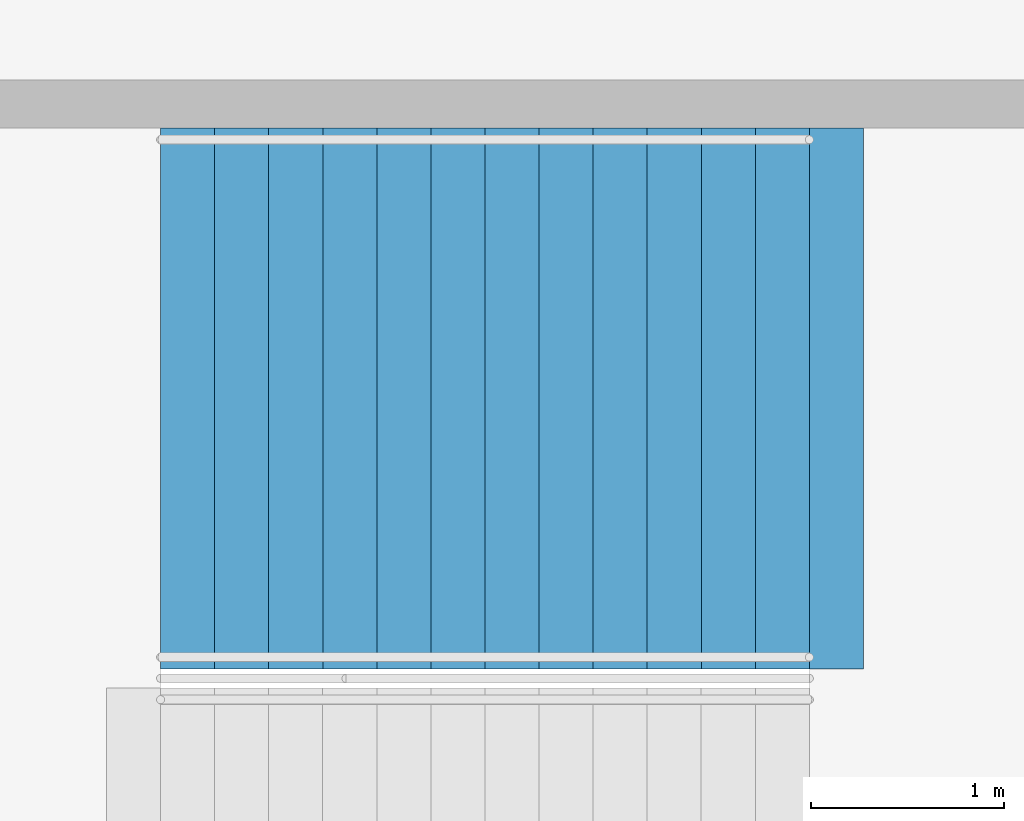
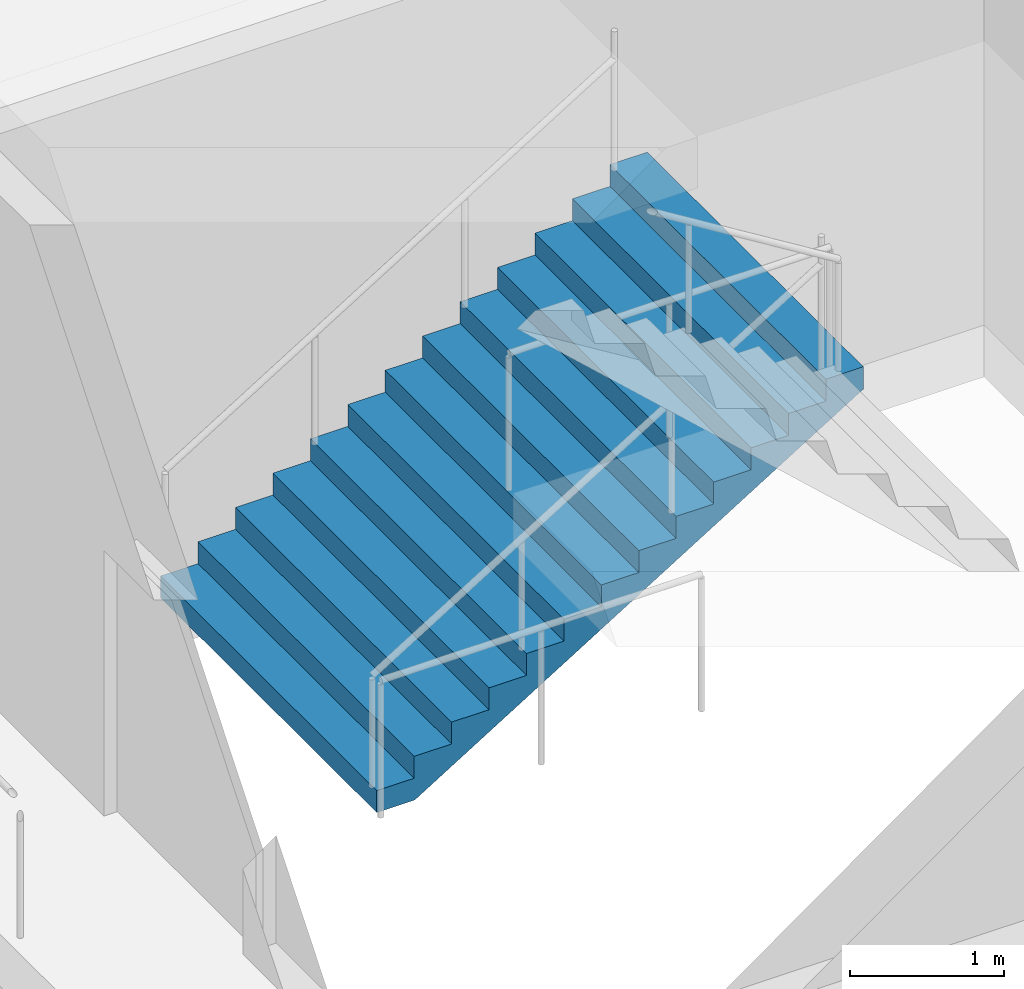
# One storey, part 122 of 177: 1 stair flight, 1 element without a shape of its own.
"""IFC4 building model written with IfcOpenShell, lengths in metres."""

from ifc_helpers import new_model, si_unit, direction, frame, origin, place, context, subcontext, project, spatial, faceted_brep, material, type_object, element, aggregate, save


model = new_model("IFC4")

# Units and contexts
model_context = context("Model", 3, precision=1e-05, world=origin(), true_north=direction((0.0, 1.0)))
body_context = subcontext(model_context, "Body", "Model", "MODEL_VIEW")
ifc_project = project(units=[si_unit("LENGTHUNIT", "METRE"), si_unit("AREAUNIT", "SQUARE_METRE"), si_unit("VOLUMEUNIT", "CUBIC_METRE"), si_unit("PLANEANGLEUNIT", "RADIAN"), si_unit("MASSUNIT", "GRAM", prefix="KILO")], contexts=[model_context])

# Site, building, storey
site_placement = place(None, origin())
site = spatial("IfcSite", under=ifc_project, at=site_placement, CompositionType="ELEMENT")
building_placement = place(site_placement, origin())
building = spatial("IfcBuilding", under=site, at=building_placement, Name="Ogive Plaza Stadium", CompositionType="ELEMENT")
storey_placement = place(building_placement, frame((0.0, 0.0, 18.0)))
storey = spatial("IfcBuildingStorey", under=building, at=storey_placement, Name="L04", CompositionType="ELEMENT", Elevation=18.0)

# Stair, stair flight
ifc_material_1 = material(Name="Concrete C40/50", Category="concrete")
stair_type = type_object("IfcStairType", Name="Exit stair", PredefinedType="STRAIGHT_RUN_STAIR", material=ifc_material_1)
stair_placement = place(storey_placement, origin())
stair = element("IfcStair", 1, at=stair_placement, inside=storey, type_object=stair_type, Name="Exit stair ST08B L04 to L05", PredefinedType="STRAIGHT_RUN_STAIR")
ifc_material_2 = material(Name="Concrete C40/50", Category="concrete")
stair_flight_type = type_object("IfcStairFlightType", Name="Exit stair flight", PredefinedType="STRAIGHT", material=ifc_material_2)
stair_flight_placement = place(storey_placement, frame((76.35009765625, -48.074951171875, 0.0), z_axis=(0.0, 0.0, 1.0), x_axis=(1.0, 0.0, 0.0)))
stair_flight = element("IfcStairFlight", 2, at=stair_flight_placement, type_object=stair_flight_type, Name="ST08B flight 1", NumberOfRisers=13, NumberOfTreads=12, PredefinedType="STRAIGHT", RiserHeight=0.173076923, TreadLength=0.28, context=body_context, shape_type="Brep", body=[
    faceted_brep([(0.28515625, -1.39990234375, 0.0), (3.639892578125, -1.39990234375, 2.07373046875), (3.639892578125, -1.39990234375, 2.25), (3.360107421875, -1.39990234375, 2.25), (3.360107421875, -1.39990234375, 2.076904296875), (3.080078125, -1.39990234375, 2.076904296875), (3.080078125, -1.39990234375, 1.90380859375), (2.800048828125, -1.39990234375, 1.90380859375), (2.800048828125, -1.39990234375, 1.730712890625), (2.52001953125, -1.39990234375, 1.730712890625), (2.52001953125, -1.39990234375, 1.5576171875), (2.239990234375, -1.39990234375, 1.5576171875), (2.239990234375, -1.39990234375, 1.384521484375), (1.9599609375, -1.39990234375, 1.384521484375), (1.9599609375, -1.39990234375, 1.21142578125), (1.679931640625, -1.39990234375, 1.21142578125), (1.679931640625, -1.39990234375, 1.03857421875), (1.39990234375, -1.39990234375, 1.03857421875), (1.39990234375, -1.39990234375, 0.865478515625), (1.1201171875, -1.39990234375, 0.865478515625), (1.1201171875, -1.39990234375, 0.6923828125), (0.840087890625, -1.39990234375, 0.6923828125), (0.840087890625, -1.39990234375, 0.519287109375), (0.56005859375, -1.39990234375, 0.519287109375), (0.56005859375, -1.39990234375, 0.34619140625), (0.280029296875, -1.39990234375, 0.34619140625), (0.280029296875, -1.39990234375, 0.173095703125), (0.0, -1.39990234375, 0.173095703125), (0.0, -1.39990234375, 0.0), (0.0, 1.39990234375, 0.0), (0.0, 1.39990234375, 0.173095703125), (0.280029296875, 1.39990234375, 0.173095703125), (0.280029296875, 1.39990234375, 0.34619140625), (0.56005859375, 1.39990234375, 0.34619140625), (0.56005859375, 1.39990234375, 0.519287109375), (0.840087890625, 1.39990234375, 0.519287109375), (0.840087890625, 1.39990234375, 0.6923828125), (1.1201171875, 1.39990234375, 0.6923828125), (1.1201171875, 1.39990234375, 0.865478515625), (1.39990234375, 1.39990234375, 0.865478515625), (1.39990234375, 1.39990234375, 1.03857421875), (1.679931640625, 1.39990234375, 1.03857421875), (1.679931640625, 1.39990234375, 1.21142578125), (1.9599609375, 1.39990234375, 1.21142578125), (1.9599609375, 1.39990234375, 1.384521484375), (2.239990234375, 1.39990234375, 1.384521484375), (2.239990234375, 1.39990234375, 1.5576171875), (2.52001953125, 1.39990234375, 1.5576171875), (2.52001953125, 1.39990234375, 1.730712890625), (2.800048828125, 1.39990234375, 1.730712890625), (2.800048828125, 1.39990234375, 1.90380859375), (3.080078125, 1.39990234375, 1.90380859375), (3.080078125, 1.39990234375, 2.076904296875), (3.360107421875, 1.39990234375, 2.076904296875), (3.360107421875, 1.39990234375, 2.25), (3.639892578125, 1.39990234375, 2.25), (3.639892578125, 1.39990234375, 2.07373046875), (0.28515625, 1.39990234375, 0.0), (0.28515625, -1.0888671875, 0.0), (3.639892578125, -1.0888671875, 2.07373046875), (0.28515625, -0.77783203125, 0.0), (3.639892578125, -0.77783203125, 2.07373046875), (0.28515625, -0.466796875, 0.0), (3.639892578125, -0.466796875, 2.07373046875), (0.28515625, -0.155517578125, 0.0), (3.639892578125, -0.155517578125, 2.07373046875), (0.28515625, 0.155517578125, 0.0), (3.639892578125, 0.155517578125, 2.07373046875), (0.28515625, 0.466796875, 0.0), (3.639892578125, 0.466796875, 2.07373046875), (0.28515625, 0.77783203125, 0.0), (3.639892578125, 0.77783203125, 2.07373046875), (0.28515625, 1.0888671875, 0.0), (3.639892578125, 1.0888671875, 2.07373046875), (3.639892578125, -1.0888671875, 2.25), (3.639892578125, -0.77783203125, 2.25), (3.639892578125, -0.466796875, 2.25), (3.639892578125, -0.155517578125, 2.25), (3.639892578125, 0.155517578125, 2.25), (3.639892578125, 0.466796875, 2.25), (3.639892578125, 0.77783203125, 2.25), (3.639892578125, 1.0888671875, 2.25), (3.360107421875, -1.0888671875, 2.25), (3.360107421875, -0.77783203125, 2.25), (3.360107421875, -0.466796875, 2.25), (3.360107421875, -0.155517578125, 2.25), (3.360107421875, 0.155517578125, 2.25), (3.360107421875, 0.466796875, 2.25), (3.360107421875, 0.77783203125, 2.25), (3.360107421875, 1.0888671875, 2.25), (3.360107421875, -1.0888671875, 2.076904296875), (3.360107421875, -0.77783203125, 2.076904296875), (3.360107421875, -0.466796875, 2.076904296875), (3.360107421875, -0.155517578125, 2.076904296875), (3.360107421875, 0.155517578125, 2.076904296875), (3.360107421875, 0.466796875, 2.076904296875), (3.360107421875, 0.77783203125, 2.076904296875), (3.360107421875, 1.0888671875, 2.076904296875), (3.080078125, -1.0888671875, 2.076904296875), (3.080078125, -0.77783203125, 2.076904296875), (3.080078125, -0.466796875, 2.076904296875), (3.080078125, -0.155517578125, 2.076904296875), (3.080078125, 0.155517578125, 2.076904296875), (3.080078125, 0.466796875, 2.076904296875), (3.080078125, 0.77783203125, 2.076904296875), (3.080078125, 1.0888671875, 2.076904296875), (3.080078125, -1.0888671875, 1.90380859375), (3.080078125, -0.77783203125, 1.90380859375), (3.080078125, -0.466796875, 1.90380859375), (3.080078125, -0.155517578125, 1.90380859375), (3.080078125, 0.155517578125, 1.90380859375), (3.080078125, 0.466796875, 1.90380859375), (3.080078125, 0.77783203125, 1.90380859375), (3.080078125, 1.0888671875, 1.90380859375), (2.800048828125, -1.0888671875, 1.90380859375), (2.800048828125, -0.77783203125, 1.90380859375), (2.800048828125, -0.466796875, 1.90380859375), (2.800048828125, -0.155517578125, 1.90380859375), (2.800048828125, 0.155517578125, 1.90380859375), (2.800048828125, 0.466796875, 1.90380859375), (2.800048828125, 0.77783203125, 1.90380859375), (2.800048828125, 1.0888671875, 1.90380859375), (2.800048828125, -1.0888671875, 1.730712890625), (2.800048828125, -0.77783203125, 1.730712890625), (2.800048828125, -0.466796875, 1.730712890625), (2.800048828125, -0.155517578125, 1.730712890625), (2.800048828125, 0.155517578125, 1.730712890625), (2.800048828125, 0.466796875, 1.730712890625), (2.800048828125, 0.77783203125, 1.730712890625), (2.800048828125, 1.0888671875, 1.730712890625), (2.52001953125, -1.0888671875, 1.730712890625), (2.52001953125, -0.77783203125, 1.730712890625), (2.52001953125, -0.466796875, 1.730712890625), (2.52001953125, -0.155517578125, 1.730712890625), (2.52001953125, 0.155517578125, 1.730712890625), (2.52001953125, 0.466796875, 1.730712890625), (2.52001953125, 0.77783203125, 1.730712890625), (2.52001953125, 1.0888671875, 1.730712890625), (2.52001953125, -1.0888671875, 1.5576171875), (2.52001953125, -0.77783203125, 1.5576171875), (2.52001953125, -0.466796875, 1.5576171875), (2.52001953125, -0.155517578125, 1.5576171875), (2.52001953125, 0.155517578125, 1.5576171875), (2.52001953125, 0.466796875, 1.5576171875), (2.52001953125, 0.77783203125, 1.5576171875), (2.52001953125, 1.0888671875, 1.5576171875), (2.239990234375, -1.0888671875, 1.5576171875), (2.239990234375, -0.77783203125, 1.5576171875), (2.239990234375, -0.466796875, 1.5576171875), (2.239990234375, -0.155517578125, 1.5576171875), (2.239990234375, 0.155517578125, 1.5576171875), (2.239990234375, 0.466796875, 1.5576171875), (2.239990234375, 0.77783203125, 1.5576171875), (2.239990234375, 1.0888671875, 1.5576171875), (2.239990234375, -1.0888671875, 1.384521484375), (2.239990234375, -0.77783203125, 1.384521484375), (2.239990234375, -0.466796875, 1.384521484375), (2.239990234375, -0.155517578125, 1.384521484375), (2.239990234375, 0.155517578125, 1.384521484375), (2.239990234375, 0.466796875, 1.384521484375), (2.239990234375, 0.77783203125, 1.384521484375), (2.239990234375, 1.0888671875, 1.384521484375), (1.9599609375, -1.0888671875, 1.384521484375), (1.9599609375, -0.77783203125, 1.384521484375), (1.9599609375, -0.466796875, 1.384521484375), (1.9599609375, -0.155517578125, 1.384521484375), (1.9599609375, 0.155517578125, 1.384521484375), (1.9599609375, 0.466796875, 1.384521484375), (1.9599609375, 0.77783203125, 1.384521484375), (1.9599609375, 1.0888671875, 1.384521484375), (1.9599609375, -1.0888671875, 1.21142578125), (1.9599609375, -0.77783203125, 1.21142578125), (1.9599609375, -0.466796875, 1.21142578125), (1.9599609375, -0.155517578125, 1.21142578125), (1.9599609375, 0.155517578125, 1.21142578125), (1.9599609375, 0.466796875, 1.21142578125), (1.9599609375, 0.77783203125, 1.21142578125), (1.9599609375, 1.0888671875, 1.21142578125), (1.679931640625, -1.0888671875, 1.21142578125), (1.679931640625, -0.77783203125, 1.21142578125), (1.679931640625, -0.466796875, 1.21142578125), (1.679931640625, -0.155517578125, 1.21142578125), (1.679931640625, 0.155517578125, 1.21142578125), (1.679931640625, 0.466796875, 1.21142578125), (1.679931640625, 0.77783203125, 1.21142578125), (1.679931640625, 1.0888671875, 1.21142578125), (1.679931640625, -1.0888671875, 1.03857421875), (1.679931640625, -0.77783203125, 1.03857421875), (1.679931640625, -0.466796875, 1.03857421875), (1.679931640625, -0.155517578125, 1.03857421875), (1.679931640625, 0.155517578125, 1.03857421875), (1.679931640625, 0.466796875, 1.03857421875), (1.679931640625, 0.77783203125, 1.03857421875), (1.679931640625, 1.0888671875, 1.03857421875), (1.39990234375, -1.0888671875, 1.03857421875), (1.39990234375, -0.77783203125, 1.03857421875), (1.39990234375, -0.466796875, 1.03857421875), (1.39990234375, -0.155517578125, 1.03857421875), (1.39990234375, 0.155517578125, 1.03857421875), (1.39990234375, 0.466796875, 1.03857421875), (1.39990234375, 0.77783203125, 1.03857421875), (1.39990234375, 1.0888671875, 1.03857421875), (1.39990234375, -1.0888671875, 0.865478515625), (1.39990234375, -0.77783203125, 0.865478515625), (1.39990234375, -0.466796875, 0.865478515625), (1.39990234375, -0.155517578125, 0.865478515625), (1.39990234375, 0.155517578125, 0.865478515625), (1.39990234375, 0.466796875, 0.865478515625), (1.39990234375, 0.77783203125, 0.865478515625), (1.39990234375, 1.0888671875, 0.865478515625), (1.1201171875, -1.0888671875, 0.865478515625), (1.1201171875, -0.77783203125, 0.865478515625), (1.1201171875, -0.466796875, 0.865478515625), (1.1201171875, -0.155517578125, 0.865478515625), (1.1201171875, 0.155517578125, 0.865478515625), (1.1201171875, 0.466796875, 0.865478515625), (1.1201171875, 0.77783203125, 0.865478515625), (1.1201171875, 1.0888671875, 0.865478515625), (1.1201171875, -1.0888671875, 0.6923828125), (1.1201171875, -0.77783203125, 0.6923828125), (1.1201171875, -0.466796875, 0.6923828125), (1.1201171875, -0.155517578125, 0.6923828125), (1.1201171875, 0.155517578125, 0.6923828125), (1.1201171875, 0.466796875, 0.6923828125), (1.1201171875, 0.77783203125, 0.6923828125), (1.1201171875, 1.0888671875, 0.6923828125), (0.840087890625, -1.0888671875, 0.6923828125), (0.840087890625, -0.77783203125, 0.6923828125), (0.840087890625, -0.466796875, 0.6923828125), (0.840087890625, -0.155517578125, 0.6923828125), (0.840087890625, 0.155517578125, 0.6923828125), (0.840087890625, 0.466796875, 0.6923828125), (0.840087890625, 0.77783203125, 0.6923828125), (0.840087890625, 1.0888671875, 0.6923828125), (0.840087890625, -1.0888671875, 0.519287109375), (0.840087890625, -0.77783203125, 0.519287109375), (0.840087890625, -0.466796875, 0.519287109375), (0.840087890625, -0.155517578125, 0.519287109375), (0.840087890625, 0.155517578125, 0.519287109375), (0.840087890625, 0.466796875, 0.519287109375), (0.840087890625, 0.77783203125, 0.519287109375), (0.840087890625, 1.0888671875, 0.519287109375), (0.56005859375, -1.0888671875, 0.519287109375), (0.56005859375, -0.77783203125, 0.519287109375), (0.56005859375, -0.466796875, 0.519287109375), (0.56005859375, -0.155517578125, 0.519287109375), (0.56005859375, 0.155517578125, 0.519287109375), (0.56005859375, 0.466796875, 0.519287109375), (0.56005859375, 0.77783203125, 0.519287109375), (0.56005859375, 1.0888671875, 0.519287109375), (0.56005859375, -1.0888671875, 0.34619140625), (0.56005859375, -0.77783203125, 0.34619140625), (0.56005859375, -0.466796875, 0.34619140625), (0.56005859375, -0.155517578125, 0.34619140625), (0.56005859375, 0.155517578125, 0.34619140625), (0.56005859375, 0.466796875, 0.34619140625), (0.56005859375, 0.77783203125, 0.34619140625), (0.56005859375, 1.0888671875, 0.34619140625), (0.280029296875, -1.0888671875, 0.34619140625), (0.280029296875, -0.77783203125, 0.34619140625), (0.280029296875, -0.466796875, 0.34619140625), (0.280029296875, -0.155517578125, 0.34619140625), (0.280029296875, 0.155517578125, 0.34619140625), (0.280029296875, 0.466796875, 0.34619140625), (0.280029296875, 0.77783203125, 0.34619140625), (0.280029296875, 1.0888671875, 0.34619140625), (0.280029296875, -1.0888671875, 0.173095703125), (0.280029296875, -0.77783203125, 0.173095703125), (0.280029296875, -0.466796875, 0.173095703125), (0.280029296875, -0.155517578125, 0.173095703125), (0.280029296875, 0.155517578125, 0.173095703125), (0.280029296875, 0.466796875, 0.173095703125), (0.280029296875, 0.77783203125, 0.173095703125), (0.280029296875, 1.0888671875, 0.173095703125), (0.0, -1.0888671875, 0.173095703125), (0.0, -0.77783203125, 0.173095703125), (0.0, -0.466796875, 0.173095703125), (0.0, -0.155517578125, 0.173095703125), (0.0, 0.155517578125, 0.173095703125), (0.0, 0.466796875, 0.173095703125), (0.0, 0.77783203125, 0.173095703125), (0.0, 1.0888671875, 0.173095703125), (0.0, -1.0888671875, 0.0), (0.0, -0.77783203125, 0.0), (0.0, -0.466796875, 0.0), (0.0, -0.155517578125, 0.0), (0.0, 0.155517578125, 0.0), (0.0, 0.466796875, 0.0), (0.0, 0.77783203125, 0.0), (0.0, 1.0888671875, 0.0)], [[[0, 1, 2, 3, 4, 5, 6, 7, 8, 9, 10, 11, 12, 13, 14, 15, 16, 17, 18, 19, 20, 21, 22, 23, 24, 25, 26, 27, 28]], [[29, 30, 31, 32, 33, 34, 35, 36, 37, 38, 39, 40, 41, 42, 43, 44, 45, 46, 47, 48, 49, 50, 51, 52, 53, 54, 55, 56, 57]], [[0, 58, 59, 1]], [[58, 60, 61, 59]], [[60, 62, 63, 61]], [[62, 64, 65, 63]], [[64, 66, 67, 65]], [[66, 68, 69, 67]], [[68, 70, 71, 69]], [[70, 72, 73, 71]], [[72, 57, 56, 73]], [[1, 59, 74, 2]], [[59, 61, 75, 74]], [[61, 63, 76, 75]], [[63, 65, 77, 76]], [[65, 67, 78, 77]], [[67, 69, 79, 78]], [[69, 71, 80, 79]], [[71, 73, 81, 80]], [[73, 56, 55, 81]], [[2, 74, 82, 3]], [[74, 75, 83, 82]], [[75, 76, 84, 83]], [[76, 77, 85, 84]], [[77, 78, 86, 85]], [[78, 79, 87, 86]], [[79, 80, 88, 87]], [[80, 81, 89, 88]], [[81, 55, 54, 89]], [[3, 82, 90, 4]], [[82, 83, 91, 90]], [[83, 84, 92, 91]], [[84, 85, 93, 92]], [[85, 86, 94, 93]], [[86, 87, 95, 94]], [[87, 88, 96, 95]], [[88, 89, 97, 96]], [[89, 54, 53, 97]], [[4, 90, 98, 5]], [[90, 91, 99, 98]], [[91, 92, 100, 99]], [[92, 93, 101, 100]], [[93, 94, 102, 101]], [[94, 95, 103, 102]], [[95, 96, 104, 103]], [[96, 97, 105, 104]], [[97, 53, 52, 105]], [[5, 98, 106, 6]], [[98, 99, 107, 106]], [[99, 100, 108, 107]], [[100, 101, 109, 108]], [[101, 102, 110, 109]], [[102, 103, 111, 110]], [[103, 104, 112, 111]], [[104, 105, 113, 112]], [[105, 52, 51, 113]], [[6, 106, 114, 7]], [[106, 107, 115, 114]], [[107, 108, 116, 115]], [[108, 109, 117, 116]], [[109, 110, 118, 117]], [[110, 111, 119, 118]], [[111, 112, 120, 119]], [[112, 113, 121, 120]], [[113, 51, 50, 121]], [[7, 114, 122, 8]], [[114, 115, 123, 122]], [[115, 116, 124, 123]], [[116, 117, 125, 124]], [[117, 118, 126, 125]], [[118, 119, 127, 126]], [[119, 120, 128, 127]], [[120, 121, 129, 128]], [[121, 50, 49, 129]], [[8, 122, 130, 9]], [[122, 123, 131, 130]], [[123, 124, 132, 131]], [[124, 125, 133, 132]], [[125, 126, 134, 133]], [[126, 127, 135, 134]], [[127, 128, 136, 135]], [[128, 129, 137, 136]], [[129, 49, 48, 137]], [[9, 130, 138, 10]], [[130, 131, 139, 138]], [[131, 132, 140, 139]], [[132, 133, 141, 140]], [[133, 134, 142, 141]], [[134, 135, 143, 142]], [[135, 136, 144, 143]], [[136, 137, 145, 144]], [[137, 48, 47, 145]], [[10, 138, 146, 11]], [[138, 139, 147, 146]], [[139, 140, 148, 147]], [[140, 141, 149, 148]], [[141, 142, 150, 149]], [[142, 143, 151, 150]], [[143, 144, 152, 151]], [[144, 145, 153, 152]], [[145, 47, 46, 153]], [[11, 146, 154, 12]], [[146, 147, 155, 154]], [[147, 148, 156, 155]], [[148, 149, 157, 156]], [[149, 150, 158, 157]], [[150, 151, 159, 158]], [[151, 152, 160, 159]], [[152, 153, 161, 160]], [[153, 46, 45, 161]], [[12, 154, 162, 13]], [[154, 155, 163, 162]], [[155, 156, 164, 163]], [[156, 157, 165, 164]], [[157, 158, 166, 165]], [[158, 159, 167, 166]], [[159, 160, 168, 167]], [[160, 161, 169, 168]], [[161, 45, 44, 169]], [[13, 162, 170, 14]], [[162, 163, 171, 170]], [[163, 164, 172, 171]], [[164, 165, 173, 172]], [[165, 166, 174, 173]], [[166, 167, 175, 174]], [[167, 168, 176, 175]], [[168, 169, 177, 176]], [[169, 44, 43, 177]], [[14, 170, 178, 15]], [[170, 171, 179, 178]], [[171, 172, 180, 179]], [[172, 173, 181, 180]], [[173, 174, 182, 181]], [[174, 175, 183, 182]], [[175, 176, 184, 183]], [[176, 177, 185, 184]], [[177, 43, 42, 185]], [[15, 178, 186, 16]], [[178, 179, 187, 186]], [[179, 180, 188, 187]], [[180, 181, 189, 188]], [[181, 182, 190, 189]], [[182, 183, 191, 190]], [[183, 184, 192, 191]], [[184, 185, 193, 192]], [[185, 42, 41, 193]], [[16, 186, 194, 17]], [[186, 187, 195, 194]], [[187, 188, 196, 195]], [[188, 189, 197, 196]], [[189, 190, 198, 197]], [[190, 191, 199, 198]], [[191, 192, 200, 199]], [[192, 193, 201, 200]], [[193, 41, 40, 201]], [[17, 194, 202, 18]], [[194, 195, 203, 202]], [[195, 196, 204, 203]], [[196, 197, 205, 204]], [[197, 198, 206, 205]], [[198, 199, 207, 206]], [[199, 200, 208, 207]], [[200, 201, 209, 208]], [[201, 40, 39, 209]], [[18, 202, 210, 19]], [[202, 203, 211, 210]], [[203, 204, 212, 211]], [[204, 205, 213, 212]], [[205, 206, 214, 213]], [[206, 207, 215, 214]], [[207, 208, 216, 215]], [[208, 209, 217, 216]], [[209, 39, 38, 217]], [[19, 210, 218, 20]], [[210, 211, 219, 218]], [[211, 212, 220, 219]], [[212, 213, 221, 220]], [[213, 214, 222, 221]], [[214, 215, 223, 222]], [[215, 216, 224, 223]], [[216, 217, 225, 224]], [[217, 38, 37, 225]], [[20, 218, 226, 21]], [[218, 219, 227, 226]], [[219, 220, 228, 227]], [[220, 221, 229, 228]], [[221, 222, 230, 229]], [[222, 223, 231, 230]], [[223, 224, 232, 231]], [[224, 225, 233, 232]], [[225, 37, 36, 233]], [[21, 226, 234, 22]], [[226, 227, 235, 234]], [[227, 228, 236, 235]], [[228, 229, 237, 236]], [[229, 230, 238, 237]], [[230, 231, 239, 238]], [[231, 232, 240, 239]], [[232, 233, 241, 240]], [[233, 36, 35, 241]], [[22, 234, 242, 23]], [[234, 235, 243, 242]], [[235, 236, 244, 243]], [[236, 237, 245, 244]], [[237, 238, 246, 245]], [[238, 239, 247, 246]], [[239, 240, 248, 247]], [[240, 241, 249, 248]], [[241, 35, 34, 249]], [[23, 242, 250, 24]], [[242, 243, 251, 250]], [[243, 244, 252, 251]], [[244, 245, 253, 252]], [[245, 246, 254, 253]], [[246, 247, 255, 254]], [[247, 248, 256, 255]], [[248, 249, 257, 256]], [[249, 34, 33, 257]], [[24, 250, 258, 25]], [[250, 251, 259, 258]], [[251, 252, 260, 259]], [[252, 253, 261, 260]], [[253, 254, 262, 261]], [[254, 255, 263, 262]], [[255, 256, 264, 263]], [[256, 257, 265, 264]], [[257, 33, 32, 265]], [[25, 258, 266, 26]], [[258, 259, 267, 266]], [[259, 260, 268, 267]], [[260, 261, 269, 268]], [[261, 262, 270, 269]], [[262, 263, 271, 270]], [[263, 264, 272, 271]], [[264, 265, 273, 272]], [[265, 32, 31, 273]], [[26, 266, 274, 27]], [[266, 267, 275, 274]], [[267, 268, 276, 275]], [[268, 269, 277, 276]], [[269, 270, 278, 277]], [[270, 271, 279, 278]], [[271, 272, 280, 279]], [[272, 273, 281, 280]], [[273, 31, 30, 281]], [[27, 274, 282, 28]], [[274, 275, 283, 282]], [[275, 276, 284, 283]], [[276, 277, 285, 284]], [[277, 278, 286, 285]], [[278, 279, 287, 286]], [[279, 280, 288, 287]], [[280, 281, 289, 288]], [[281, 30, 29, 289]], [[28, 282, 58, 0]], [[282, 283, 60, 58]], [[283, 284, 62, 60]], [[284, 285, 64, 62]], [[285, 286, 66, 64]], [[286, 287, 68, 66]], [[287, 288, 70, 68]], [[288, 289, 72, 70]], [[289, 29, 57, 72]]]),
])
aggregate(stair, [stair_flight])

save(model, "model.ifc")
